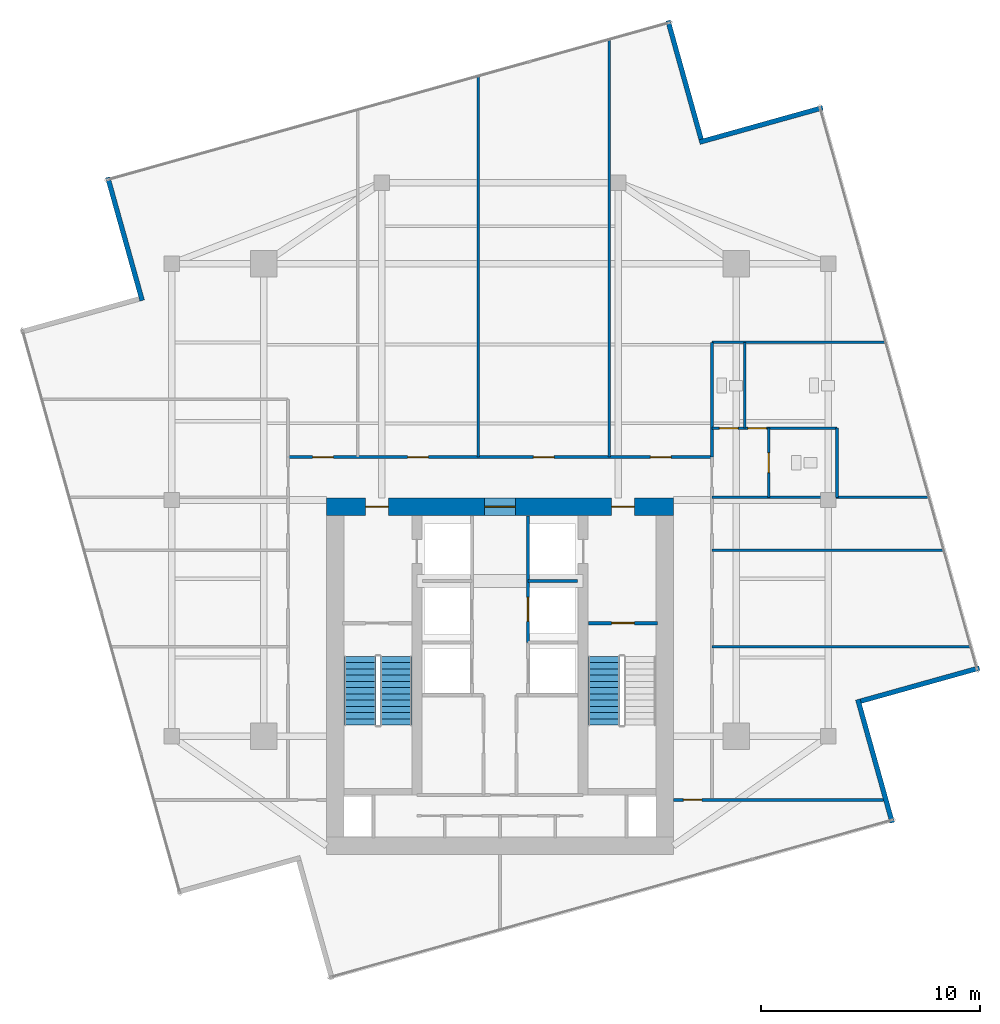
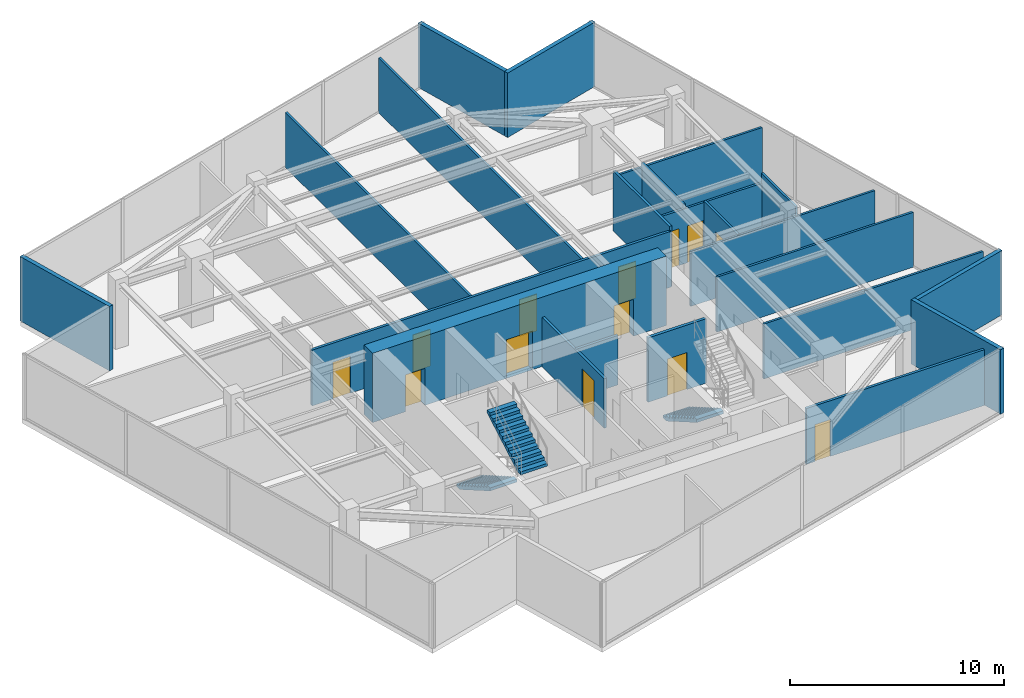
# One storey, part 18 of 21: 22 walls, 13 doors, 3 stair flights, 13 openings, 2 elements without a shape of their own.
"""IFC4 building model written with IfcOpenShell, lengths in metres."""

from ifc_helpers import new_model, si_unit, direction, frame, frame_2d, origin, place, context, subcontext, project, spatial, polyline, rectangle, outline, extrude, material, layer, layer_set, type_object, element, fill, aggregate, save


model = new_model("IFC4")

# Units and contexts
model_context = context("Model", 3, precision=1e-05, world=origin(), true_north=direction((0.0, 1.0)))
body_context = subcontext(model_context, "Body", "Model", "MODEL_VIEW")
ifc_project = project(units=[si_unit("LENGTHUNIT", "METRE"), si_unit("AREAUNIT", "SQUARE_METRE"), si_unit("VOLUMEUNIT", "CUBIC_METRE"), si_unit("PLANEANGLEUNIT", "RADIAN"), si_unit("MASSUNIT", "GRAM", prefix="KILO")], contexts=[model_context])

# Site, building, storey
site_placement = place(None, origin())
site = spatial("IfcSite", under=ifc_project, at=site_placement, CompositionType="ELEMENT")
building_placement = place(site_placement, origin())
building = spatial("IfcBuilding", under=site, at=building_placement, Name="Krantzveldt Concourse Tower", CompositionType="ELEMENT")
storey_placement = place(building_placement, frame((0.0, 0.0, 347.449951171875)))
storey = spatial("IfcBuildingStorey", under=building, at=storey_placement, Name="L85", CompositionType="ELEMENT", Elevation=347.449951171875)

# Walls
ifc_material_1 = material(Name="Anodised aluminium 6063-T6", Category="aluminium")
ifc_layer_1 = layer(ifc_material_1, 0.219970703125, Name="Anodised aluminium 6063-T6", Category="aluminium")
ifc_layer_set_1 = layer_set([ifc_layer_1], Name="Anodised aluminium 6063-T6 (WL-EXT-NOTCH220)")
wall_type_1 = type_object("IfcWallType", Name="WL-EXT-NOTCH220", PredefinedType="ELEMENTEDWALL", material=ifc_layer_set_1)
wall_1_placement = place(storey_placement, frame((45.189697265625, 43.184326171875, 0.0), z_axis=(0.0, 0.0, 1.0), x_axis=(-0.269351408795, 0.963041960965, 0.0)))
element("IfcWall", 1, at=wall_1_placement, inside=storey, type_object=wall_type_1, Name="EW-L85-NCH00", PredefinedType="ELEMENTEDWALL", context=body_context, shape_type="SweptSolid", body=[
    extrude(rectangle(XDim=5.625244140625, YDim=0.219970703125, at=frame_2d((2.8125, 0.0))), origin(), (0.0, 0.0, 1.0), 3.670166015625),
])
wall_2_placement = place(storey_placement, frame((18.076904296875, 41.4423828125, 0.0), z_axis=(0.0, 0.0, 1.0), x_axis=(0.269332441418, -0.963047265714, 0.0)))
element("IfcWall", 2, at=wall_2_placement, inside=storey, type_object=wall_type_1, Name="EW-L85-NCH02", PredefinedType="ELEMENTEDWALL", context=body_context, shape_type="SweptSolid", body=[
    extrude(rectangle(XDim=5.844970703125, YDim=0.219970703125, at=frame_2d((2.92236328125, 0.0))), origin(), (0.0, 0.0, 1.0), 3.670166015625),
])
wall_3_placement = place(storey_placement, frame((53.923095703125, 11.95751953125, 0.0), z_axis=(0.0, 0.0, 1.0), x_axis=(-0.26932160756, 0.96305029552, 0.0)))
element("IfcWall", 3, at=wall_3_placement, inside=storey, type_object=wall_type_1, Name="EW-L85-NCH08", PredefinedType="ELEMENTEDWALL", context=body_context, shape_type="SweptSolid", body=[
    extrude(rectangle(XDim=5.84521484375, YDim=0.219970703125, at=frame_2d((2.922607421875, 0.0))), origin(), (0.0, 0.0, 1.0), 3.670166015625),
])
wall_4_placement = place(storey_placement, frame((52.484375, 17.51025390625, 0.0), z_axis=(0.0, 0.0, 1.0), x_axis=(0.963038811961, 0.269362667524, 0.0)))
element("IfcWall", 4, at=wall_4_placement, inside=storey, type_object=wall_type_1, Name="EW-L85-NCH09", PredefinedType="ELEMENTEDWALL", context=body_context, shape_type="SweptSolid", body=[
    extrude(rectangle(XDim=5.625, YDim=0.219970703125, at=frame_2d((2.8125, 0.0))), origin(), (0.0, 0.0, 1.0), 3.670166015625),
])
wall_5_placement = place(storey_placement, frame((50.742431640625, 44.623046875, 0.0), z_axis=(0.0, 0.0, 1.0), x_axis=(-0.963047265714, -0.269332441418, 0.0)))
element("IfcWall", 5, at=wall_5_placement, inside=storey, type_object=wall_type_1, Name="EW-L85-NCH11", PredefinedType="ELEMENTEDWALL", context=body_context, shape_type="SweptSolid", body=[
    extrude(rectangle(XDim=5.844970703125, YDim=0.219970703125, at=frame_2d((2.92236328125, 0.0))), origin(), (0.0, 0.0, 1.0), 3.670166015625),
])
ifc_material_2 = material(Name="Fire-rated gypsum plasterboard on steel stud", Category="steel")
ifc_layer_2 = layer(ifc_material_2, 0.1201171875, Name="Fire-rated gypsum plasterboard on steel stud", Category="steel")
ifc_layer_set_2 = layer_set([ifc_layer_2], Name="Fire-rated gypsum plasterboard on steel stud (WL-PART-120)")
wall_type_2 = type_object("IfcWallType", Name="WL-PART-120", PredefinedType="PARTITIONING", material=ifc_layer_set_2)
wall_6_placement = place(storey_placement, frame((45.679931640625, 26.820068359375, 0.0), z_axis=(0.0, 0.0, 1.0), x_axis=(1.0, 0.0, 0.0)))
element("IfcWall", 6, at=wall_6_placement, inside=storey, type_object=wall_type_2, Name="WP-L85-WCBS", PredefinedType="PARTITIONING", context=body_context, shape_type="SweptSolid", body=[
    extrude(rectangle(XDim=9.922119140625, YDim=0.1201171875, at=frame_2d((4.9609375, 0.0))), origin(), (0.0, 0.0, 1.0), 3.130126953125),
])
wall_7_placement = place(storey_placement, frame((45.679931640625, 33.89990234375, 0.0), z_axis=(0.0, 0.0, 1.0), x_axis=(1.0, 0.0, 0.0)))
element("IfcWall", 7, at=wall_7_placement, inside=storey, type_object=wall_type_2, Name="WP-L85-WCBN", PredefinedType="PARTITIONING", context=body_context, shape_type="SweptSolid", body=[
    extrude(rectangle(XDim=7.942138671875, YDim=0.1201171875, at=frame_2d((3.97119140625, 0.0))), origin(), (0.0, 0.0, 1.0), 3.130126953125),
])

# Wall, openings, doors
wall_8_placement = place(storey_placement, frame((45.679931640625, 29.97998046875, 0.0), z_axis=(0.0, 0.0, 1.0), x_axis=(1.0, 0.0, 0.0)))
wall_8 = element("IfcWall", 8, at=wall_8_placement, inside=storey, type_object=wall_type_2, Name="WP-L85-WCMH", PredefinedType="PARTITIONING", context=body_context, shape_type="SweptSolid", body=[
    extrude(rectangle(XDim=5.719970703125, YDim=0.1201171875, at=frame_2d((2.85986328125, 0.0))), origin(), (0.0, 0.0, 1.0), 3.130126953125),
])
opening_1_placement = place(wall_8_placement, frame((1.64501953125, 0.0, 0.0)))
opening_1 = element("IfcOpeningElement", 9, at=opening_1_placement, cuts=wall_8, Name="Opening D-IN085", PredefinedType="OPENING", context=body_context, shape_type="SweptSolid", body=[
    extrude(rectangle(XDim=0.85009765625, YDim=2.10009765625, at=frame_2d((0.425048828125, 1.050048828125))), frame((0.0, 0.070068359375, 0.0), z_axis=(0.0, -1.0, 0.0), x_axis=(1.0, 0.0, 0.0)), (0.0, 0.0, 1.0), 0.14013671875),
])
opening_2_placement = place(wall_8_placement, frame((0.344970703125, 0.0, 0.0)))
opening_2 = element("IfcOpeningElement", 10, at=opening_2_placement, cuts=wall_8, Name="Opening D-IN085", PredefinedType="OPENING", context=body_context, shape_type="SweptSolid", body=[
    extrude(rectangle(XDim=0.85009765625, YDim=2.10009765625, at=frame_2d((0.425048828125, 1.050048828125))), frame((0.0, 0.070068359375, 0.0), z_axis=(0.0, -1.0, 0.0), x_axis=(1.0, 0.0, 0.0)), (0.0, 0.0, 1.0), 0.14013671875),
])
ifc_material_3 = material(Name="Hardwood timber", Category="wood")
door_type_1 = type_object("IfcDoorType", Name="DR-INT-850", OperationType="SINGLE_SWING_LEFT", PredefinedType="DOOR", material=ifc_material_3)
door_1_placement = place(opening_1_placement, origin())
door_1 = element("IfcDoor", 11, at=door_1_placement, inside=storey, type_object=door_type_1, Name="DR-L85-WCM", OperationType="SINGLE_SWING_RIGHT", OverallHeight=2.10009765625, OverallWidth=0.85009765625, PredefinedType="DOOR", context=body_context, shape_type="SweptSolid", body=[
    extrude(rectangle(XDim=0.85009765625, YDim=2.10009765625, at=frame_2d((0.425048828125, 1.050048828125))), frame((0.0, 0.02490234375, 0.0), z_axis=(0.0, -1.0, 0.0), x_axis=(1.0, 0.0, 0.0)), (0.0, 0.0, 1.0), 0.050048828125),
])
fill(opening_1, door_1)
door_2_placement = place(opening_2_placement, origin())
door_2 = element("IfcDoor", 12, at=door_2_placement, inside=storey, type_object=door_type_1, Name="DR-L85-WCF", OperationType="SINGLE_SWING_LEFT", OverallHeight=2.10009765625, OverallWidth=0.85009765625, PredefinedType="DOOR", context=body_context, shape_type="SweptSolid", body=[
    extrude(rectangle(XDim=0.85009765625, YDim=2.10009765625, at=frame_2d((0.425048828125, 1.050048828125))), frame((0.0, 0.02490234375, 0.0), z_axis=(0.0, -1.0, 0.0), x_axis=(1.0, 0.0, 0.0)), (0.0, 0.0, 1.0), 0.050048828125),
])
fill(opening_2, door_2)

# Wall
wall_9_placement = place(storey_placement, frame((51.39990234375, 26.820068359375, 0.0), z_axis=(0.0, 0.0, 1.0), x_axis=(0.0, 1.0, 0.0)))
element("IfcWall", 13, at=wall_9_placement, inside=storey, type_object=wall_type_2, Name="WP-L85-WCAR", PredefinedType="PARTITIONING", context=body_context, shape_type="SweptSolid", body=[
    extrude(rectangle(XDim=3.159912109375, YDim=0.1201171875, at=frame_2d((1.580078125, 0.0))), origin(), (0.0, 0.0, 1.0), 3.670166015625),
])

# Wall, opening, door
wall_10_placement = place(storey_placement, frame((48.280029296875, 26.820068359375, 0.0), z_axis=(0.0, 0.0, 1.0), x_axis=(0.0, 1.0, 0.0)))
wall_10 = element("IfcWall", 14, at=wall_10_placement, inside=storey, type_object=wall_type_2, Name="WP-L85-WCAV", PredefinedType="PARTITIONING", context=body_context, shape_type="SweptSolid", body=[
    extrude(rectangle(XDim=3.159912109375, YDim=0.1201171875, at=frame_2d((1.580078125, 0.0))), origin(), (0.0, 0.0, 1.0), 3.179931640625),
])
opening_3_placement = place(wall_10_placement, frame((1.1298828125, 0.0, 0.0)))
opening_3 = element("IfcOpeningElement", 15, at=opening_3_placement, cuts=wall_10, Name="Opening D-IN090", PredefinedType="OPENING", context=body_context, shape_type="SweptSolid", body=[
    extrude(rectangle(XDim=0.89990234375, YDim=2.10009765625, at=frame_2d((0.449951171875, 1.050048828125))), frame((0.0, 0.070068359375, 0.0), z_axis=(0.0, -1.0, 0.0), x_axis=(1.0, 0.0, 0.0)), (0.0, 0.0, 1.0), 0.14013671875),
])
door_type_2 = type_object("IfcDoorType", Name="DR-INT-900", OperationType="SINGLE_SWING_LEFT", PredefinedType="DOOR", material=ifc_material_3)
door_3_placement = place(opening_3_placement, origin())
door_3 = element("IfcDoor", 16, at=door_3_placement, inside=storey, type_object=door_type_2, Name="DR-L85-WCA", OperationType="SINGLE_SWING_RIGHT", OverallHeight=2.10009765625, OverallWidth=0.89990234375, PredefinedType="DOOR", context=body_context, shape_type="SweptSolid", body=[
    extrude(rectangle(XDim=0.89990234375, YDim=2.10009765625, at=frame_2d((0.449951171875, 1.050048828125))), frame((0.0, 0.02490234375, 0.0), z_axis=(0.0, -1.0, 0.0), x_axis=(1.0, 0.0, 0.0)), (0.0, 0.0, 1.0), 0.050048828125),
])
fill(opening_3, door_3)

# Walls
wall_11_placement = place(storey_placement, frame((47.179931640625, 29.97998046875, 0.0), z_axis=(0.0, 0.0, 1.0), x_axis=(0.0, 1.0, 0.0)))
element("IfcWall", 17, at=wall_11_placement, inside=storey, type_object=wall_type_2, Name="WP-L85-WCFD", PredefinedType="PARTITIONING", context=body_context, shape_type="SweptSolid", body=[
    extrude(rectangle(XDim=3.919921875, YDim=0.1201171875, at=frame_2d((1.9599609375, 0.0))), origin(), (0.0, 0.0, 1.0), 3.3701171875),
])
wall_12_placement = place(storey_placement, frame((35.0, 28.659912109375, 0.0), z_axis=(0.0, 0.0, 1.0), x_axis=(0.0, 1.0, 0.0)))
element("IfcWall", 18, at=wall_12_placement, inside=storey, type_object=wall_type_2, Name="WP-L85-ND2", PredefinedType="PARTITIONING", context=body_context, shape_type="SweptSolid", body=[
    extrude(rectangle(XDim=17.39599609375, YDim=0.1201171875, at=frame_2d((8.697998046875, 0.0))), origin(), (0.0, 0.0, 1.0), 3.130126953125),
])
wall_13_placement = place(storey_placement, frame((41.0, 28.659912109375, 0.0), z_axis=(0.0, 0.0, 1.0), x_axis=(0.0, 1.0, 0.0)))
element("IfcWall", 19, at=wall_13_placement, inside=storey, type_object=wall_type_2, Name="WP-L85-ND3", PredefinedType="PARTITIONING", context=body_context, shape_type="SweptSolid", body=[
    extrude(rectangle(XDim=19.073974609375, YDim=0.1201171875, at=frame_2d((9.537109375, 0.0))), origin(), (0.0, 0.0, 1.0), 3.130126953125),
])
wall_14_placement = place(storey_placement, frame((45.679931640625, 20.0, 0.0), z_axis=(0.0, 0.0, 1.0), x_axis=(1.0, 0.0, 0.0)))
element("IfcWall", 20, at=wall_14_placement, inside=storey, type_object=wall_type_2, Name="WP-L85-ED1", PredefinedType="PARTITIONING", context=body_context, shape_type="SweptSolid", body=[
    extrude(rectangle(XDim=11.82958984375, YDim=0.1201171875, at=frame_2d((5.914794921875, 0.0))), origin(), (0.0, 0.0, 1.0), 3.130126953125),
])
wall_15_placement = place(storey_placement, frame((45.679931640625, 24.39990234375, 0.0), z_axis=(0.0, 0.0, 1.0), x_axis=(1.0, 0.0, 0.0)))
element("IfcWall", 21, at=wall_15_placement, inside=storey, type_object=wall_type_2, Name="WP-L85-ED2", PredefinedType="PARTITIONING", context=body_context, shape_type="SweptSolid", body=[
    extrude(rectangle(XDim=10.598876953125, YDim=0.1201171875, at=frame_2d((5.29931640625, 0.0))), origin(), (0.0, 0.0, 1.0), 3.130126953125),
])

# Wall, openings, doors
ifc_layer_3 = layer(ifc_material_2, 0.139892578125, Name="Fire-rated gypsum plasterboard on steel stud", Category="steel")
ifc_layer_set_3 = layer_set([ifc_layer_3], Name="Fire-rated gypsum plasterboard on steel stud (WL-PART-140)")
wall_type_3 = type_object("IfcWallType", Name="WL-PART-140", PredefinedType="PARTITIONING", material=ifc_layer_set_3)
wall_16_placement = place(storey_placement, frame((26.320068359375, 28.659912109375, 0.0), z_axis=(0.0, 0.0, 1.0), x_axis=(1.0, 0.0, 0.0)))
wall_16 = element("IfcWall", 22, at=wall_16_placement, inside=storey, type_object=wall_type_3, Name="WP-L85-CNHDR", PredefinedType="PARTITIONING", context=body_context, shape_type="SweptSolid", body=[
    extrude(rectangle(XDim=19.35986328125, YDim=0.139892578125, at=frame_2d((9.679931640625, 0.0))), origin(), (0.0, 0.0, 1.0), 3.179931640625),
])
opening_4_placement = place(wall_16_placement, frame((1.114990234375, 0.0, 0.0)))
opening_4 = element("IfcOpeningElement", 23, at=opening_4_placement, cuts=wall_16, Name="Opening D-IN095", PredefinedType="OPENING", context=body_context, shape_type="SweptSolid", body=[
    extrude(rectangle(XDim=0.949951171875, YDim=2.10009765625, at=frame_2d((0.47509765625, 1.050048828125))), frame((0.0, 0.080078125, 0.0), z_axis=(0.0, -1.0, 0.0), x_axis=(1.0, 0.0, 0.0)), (0.0, 0.0, 1.0), 0.159912109375),
])
opening_5_placement = place(wall_16_placement, frame((5.455078125, 0.0, 0.0)))
opening_5 = element("IfcOpeningElement", 24, at=opening_5_placement, cuts=wall_16, Name="Opening D-IN095", PredefinedType="OPENING", context=body_context, shape_type="SweptSolid", body=[
    extrude(rectangle(XDim=0.949951171875, YDim=2.10009765625, at=frame_2d((0.47509765625, 1.050048828125))), frame((0.0, 0.080078125, 0.0), z_axis=(0.0, -1.0, 0.0), x_axis=(1.0, 0.0, 0.0)), (0.0, 0.0, 1.0), 0.159912109375),
])
opening_6_placement = place(wall_16_placement, frame((11.205078125, 0.0, 0.0)))
opening_6 = element("IfcOpeningElement", 25, at=opening_6_placement, cuts=wall_16, Name="Opening D-IN095", PredefinedType="OPENING", context=body_context, shape_type="SweptSolid", body=[
    extrude(rectangle(XDim=0.949951171875, YDim=2.10009765625, at=frame_2d((0.47509765625, 1.050048828125))), frame((0.0, 0.080078125, 0.0), z_axis=(0.0, -1.0, 0.0), x_axis=(1.0, 0.0, 0.0)), (0.0, 0.0, 1.0), 0.159912109375),
])
opening_7_placement = place(wall_16_placement, frame((16.544921875, 0.0, 0.0)))
opening_7 = element("IfcOpeningElement", 26, at=opening_7_placement, cuts=wall_16, Name="Opening D-IN095", PredefinedType="OPENING", context=body_context, shape_type="SweptSolid", body=[
    extrude(rectangle(XDim=0.949951171875, YDim=2.10009765625, at=frame_2d((0.47509765625, 1.050048828125))), frame((0.0, 0.080078125, 0.0), z_axis=(0.0, -1.0, 0.0), x_axis=(1.0, 0.0, 0.0)), (0.0, 0.0, 1.0), 0.159912109375),
])
door_type_3 = type_object("IfcDoorType", Name="DR-INT-950", OperationType="SINGLE_SWING_LEFT", PredefinedType="DOOR", material=ifc_material_3)
door_4_placement = place(opening_4_placement, origin())
door_4 = element("IfcDoor", 27, at=door_4_placement, inside=storey, type_object=door_type_3, Name="DR-L85-NR1", OperationType="SINGLE_SWING_LEFT", OverallHeight=2.10009765625, OverallWidth=0.949951171875, PredefinedType="DOOR", context=body_context, shape_type="SweptSolid", body=[
    extrude(rectangle(XDim=0.949951171875, YDim=2.10009765625, at=frame_2d((0.47509765625, 1.050048828125))), frame((0.0, 0.02490234375, 0.0), z_axis=(0.0, -1.0, 0.0), x_axis=(1.0, 0.0, 0.0)), (0.0, 0.0, 1.0), 0.050048828125),
])
fill(opening_4, door_4)
door_5_placement = place(opening_5_placement, origin())
door_5 = element("IfcDoor", 28, at=door_5_placement, inside=storey, type_object=door_type_3, Name="DR-L85-NR2", OperationType="SINGLE_SWING_LEFT", OverallHeight=2.10009765625, OverallWidth=0.949951171875, PredefinedType="DOOR", context=body_context, shape_type="SweptSolid", body=[
    extrude(rectangle(XDim=0.949951171875, YDim=2.10009765625, at=frame_2d((0.47509765625, 1.050048828125))), frame((0.0, 0.02490234375, 0.0), z_axis=(0.0, -1.0, 0.0), x_axis=(1.0, 0.0, 0.0)), (0.0, 0.0, 1.0), 0.050048828125),
])
fill(opening_5, door_5)
door_6_placement = place(opening_6_placement, origin())
door_6 = element("IfcDoor", 29, at=door_6_placement, inside=storey, type_object=door_type_3, Name="DR-L85-NR3", OperationType="SINGLE_SWING_LEFT", OverallHeight=2.10009765625, OverallWidth=0.949951171875, PredefinedType="DOOR", context=body_context, shape_type="SweptSolid", body=[
    extrude(rectangle(XDim=0.949951171875, YDim=2.10009765625, at=frame_2d((0.47509765625, 1.050048828125))), frame((0.0, 0.02490234375, 0.0), z_axis=(0.0, -1.0, 0.0), x_axis=(1.0, 0.0, 0.0)), (0.0, 0.0, 1.0), 0.050048828125),
])
fill(opening_6, door_6)
door_7_placement = place(opening_7_placement, origin())
door_7 = element("IfcDoor", 30, at=door_7_placement, inside=storey, type_object=door_type_3, Name="DR-L85-NR4", OperationType="SINGLE_SWING_LEFT", OverallHeight=2.10009765625, OverallWidth=0.949951171875, PredefinedType="DOOR", context=body_context, shape_type="SweptSolid", body=[
    extrude(rectangle(XDim=0.949951171875, YDim=2.10009765625, at=frame_2d((0.47509765625, 1.050048828125))), frame((0.0, 0.02490234375, 0.0), z_axis=(0.0, -1.0, 0.0), x_axis=(1.0, 0.0, 0.0)), (0.0, 0.0, 1.0), 0.050048828125),
])
fill(opening_7, door_7)

# Wall, opening, door
wall_17_placement = place(storey_placement, frame((43.919921875, 13.0, 0.0), z_axis=(0.0, 0.0, 1.0), x_axis=(1.0, 0.0, 0.0)))
wall_17 = element("IfcWall", 31, at=wall_17_placement, inside=storey, type_object=wall_type_3, Name="WP-L85-CSBOTE", PredefinedType="PARTITIONING", context=body_context, shape_type="SweptSolid", body=[
    extrude(rectangle(XDim=9.59228515625, YDim=0.139892578125, at=frame_2d((4.796142578125, 0.0))), origin(), (0.0, 0.0, 1.0), 3.179931640625),
])
opening_8_placement = place(wall_17_placement, frame((0.455078125, 0.0, 0.0)))
opening_8 = element("IfcOpeningElement", 32, at=opening_8_placement, cuts=wall_17, Name="Opening D-IN085", PredefinedType="OPENING", context=body_context, shape_type="SweptSolid", body=[
    extrude(rectangle(XDim=0.85009765625, YDim=2.10009765625, at=frame_2d((0.425048828125, 1.050048828125))), frame((0.0, 0.080078125, 0.0), z_axis=(0.0, -1.0, 0.0), x_axis=(1.0, 0.0, 0.0)), (0.0, 0.0, 1.0), 0.159912109375),
])
door_8_placement = place(opening_8_placement, origin())
door_8 = element("IfcDoor", 33, at=door_8_placement, inside=storey, type_object=door_type_1, Name="DR-L85-SR2", OperationType="SINGLE_SWING_LEFT", OverallHeight=2.10009765625, OverallWidth=0.85009765625, PredefinedType="DOOR", context=body_context, shape_type="SweptSolid", body=[
    extrude(rectangle(XDim=0.85009765625, YDim=2.10009765625, at=frame_2d((0.425048828125, 1.050048828125))), frame((0.0, 0.02490234375, 0.0), z_axis=(0.0, -1.0, 0.0), x_axis=(1.0, 0.0, 0.0)), (0.0, 0.0, 1.0), 0.050048828125),
])
fill(opening_8, door_8)

# Wall
wall_18_placement = place(storey_placement, frame((45.679931640625, 28.659912109375, 0.0), z_axis=(0.0, 0.0, 1.0), x_axis=(0.0, 1.0, 0.0)))
element("IfcWall", 34, at=wall_18_placement, inside=storey, type_object=wall_type_3, Name="WP-L85-NER", PredefinedType="PARTITIONING", context=body_context, shape_type="SweptSolid", body=[
    extrude(rectangle(XDim=5.239990234375, YDim=0.139892578125, at=frame_2d((2.6201171875, 0.0))), origin(), (0.0, 0.0, 1.0), 3.429931640625),
])

# Wall, opening, door
ifc_layer_4 = layer(ifc_material_2, 0.139892578125, Name="Fire-rated gypsum plasterboard on steel stud", Category="steel")
ifc_layer_set_4 = layer_set([ifc_layer_4], Name="Fire-rated gypsum plasterboard on steel stud (WL-PART-FR140)")
wall_type_4 = type_object("IfcWallType", Name="WL-PART-FR140", PredefinedType="PARTITIONING", material=ifc_layer_set_4)
wall_19_placement = place(storey_placement, frame((37.280029296875, 20.199951171875, 0.0), z_axis=(0.0, 0.0, 1.0), x_axis=(0.0, 1.0, 0.0)))
wall_19 = element("IfcWall", 35, at=wall_19_placement, inside=storey, type_object=wall_type_4, Name="WP-L85-SHNE", PredefinedType="PARTITIONING", context=body_context, shape_type="SweptSolid", body=[
    extrude(rectangle(XDim=5.780029296875, YDim=0.139892578125, at=frame_2d((2.89013671875, 0.0))), origin(), (0.0, 0.0, 1.0), 2.820068359375),
])
opening_9_placement = place(wall_19_placement, frame((0.949951171875, 0.0, 0.0)))
opening_9 = element("IfcOpeningElement", 36, at=opening_9_placement, cuts=wall_19, Name="Opening LD", PredefinedType="OPENING", context=body_context, shape_type="SweptSolid", body=[
    extrude(rectangle(XDim=1.10009765625, YDim=2.14990234375, at=frame_2d((0.550048828125, 1.074951171875))), frame((0.0, 0.080078125, 0.0), z_axis=(0.0, -1.0, 0.0), x_axis=(1.0, 0.0, 0.0)), (0.0, 0.0, 1.0), 0.159912109375),
])
ifc_material_4 = material(Name="Stainless steel 316L", Category="steel")
door_type_4 = type_object("IfcDoorType", Name="DR-SLIDE-LD1100", OperationType="DOUBLE_DOOR_SLIDING", PredefinedType="DOOR", material=ifc_material_4)
door_9_placement = place(opening_9_placement, origin())
door_9 = element("IfcDoor", 37, at=door_9_placement, inside=storey, type_object=door_type_4, Name="LD-L85-GL1", OperationType="DOUBLE_DOOR_SLIDING", OverallHeight=2.14990234375, OverallWidth=1.10009765625, PredefinedType="DOOR", context=body_context, shape_type="SweptSolid", body=[
    extrude(rectangle(XDim=1.10009765625, YDim=2.14990234375, at=frame_2d((0.550048828125, 1.074951171875))), frame((0.0, 0.02490234375, 0.0), z_axis=(0.0, -1.0, 0.0), x_axis=(1.0, 0.0, 0.0)), (0.0, 0.0, 1.0), 0.050048828125),
])
fill(opening_9, door_9)

# Wall
wall_20_placement = place(storey_placement, frame((37.280029296875, 23.0, 0.0), z_axis=(0.0, 0.0, 1.0), x_axis=(1.0, 0.0, 0.0)))
element("IfcWall", 38, at=wall_20_placement, inside=storey, type_object=wall_type_4, Name="WP-L85-GLH", PredefinedType="PARTITIONING", context=body_context, shape_type="SweptSolid", body=[
    extrude(rectangle(XDim=2.27001953125, YDim=0.139892578125, at=frame_2d((1.135009765625, 0.0))), origin(), (0.0, 0.0, 1.0), 2.820068359375),
])

# Wall, opening, door
ifc_layer_5 = layer(ifc_material_2, 0.159912109375, Name="Fire-rated gypsum plasterboard on steel stud", Category="steel")
ifc_layer_set_5 = layer_set([ifc_layer_5], Name="Fire-rated gypsum plasterboard on steel stud (WL-PART-FR160)")
wall_type_5 = type_object("IfcWallType", Name="WL-PART-FR160", PredefinedType="PARTITIONING", material=ifc_layer_set_5)
wall_21_placement = place(storey_placement, frame((40.0400390625, 21.080078125, 0.0), z_axis=(0.0, 0.0, 1.0), x_axis=(1.0, 0.0, 0.0)))
wall_21 = element("IfcWall", 39, at=wall_21_placement, inside=storey, type_object=wall_type_5, Name="WP-L85-ST2", PredefinedType="PARTITIONING", context=body_context, shape_type="SweptSolid", body=[
    extrude(rectangle(XDim=3.159912109375, YDim=0.159912109375, at=frame_2d((1.580078125, 0.0))), origin(), (0.0, 0.0, 1.0), 3.670166015625),
])
opening_10_placement = place(wall_21_placement, frame((1.054931640625, 0.0, 0.0)))
opening_10 = element("IfcOpeningElement", 40, at=opening_10_placement, cuts=wall_21, Name="Opening D-FD105", PredefinedType="OPENING", context=body_context, shape_type="SweptSolid", body=[
    extrude(rectangle(XDim=1.050048828125, YDim=2.10009765625, at=frame_2d((0.52490234375, 1.050048828125))), frame((0.0, 0.08984375, 0.0), z_axis=(0.0, -1.0, 0.0), x_axis=(1.0, 0.0, 0.0)), (0.0, 0.0, 1.0), 0.179931640625),
])
ifc_material_5 = material(Name="Galvanised steel", Category="steel")
door_type_5 = type_object("IfcDoorType", Name="DR-FD120-1050", OperationType="SINGLE_SWING_LEFT", PredefinedType="DOOR", material=ifc_material_5)
door_10_placement = place(opening_10_placement, origin())
door_10 = element("IfcDoor", 41, at=door_10_placement, inside=storey, type_object=door_type_5, Name="DR-L85-ST2", OperationType="SINGLE_SWING_LEFT", OverallHeight=2.10009765625, OverallWidth=1.050048828125, PredefinedType="DOOR", context=body_context, shape_type="SweptSolid", body=[
    extrude(rectangle(XDim=1.050048828125, YDim=2.10009765625, at=frame_2d((0.52490234375, 1.050048828125))), frame((0.0, 0.02490234375, 0.0), z_axis=(0.0, -1.0, 0.0), x_axis=(1.0, 0.0, 0.0)), (0.0, 0.0, 1.0), 0.050048828125),
])
fill(opening_10, door_10)

# Wall, openings, doors
ifc_material_6 = material(Name="Concrete C60/75", Category="concrete")
ifc_layer_6 = layer(ifc_material_6, 0.800048828125, Name="Concrete C60/75", Category="concrete")
ifc_layer_set_6 = layer_set([ifc_layer_6], Name="Concrete C60/75 (WL-SHEAR-800)")
wall_type_6 = type_object("IfcWallType", Name="WL-SHEAR-800", PredefinedType="SHEAR", material=ifc_layer_set_6)
wall_22_placement = place(storey_placement, frame((28.080078125, 26.39990234375, 0.0), z_axis=(0.0, 0.0, 1.0), x_axis=(1.0, 0.0, 0.0)))
wall_22 = element("IfcWall", 42, at=wall_22_placement, inside=storey, type_object=wall_type_6, Name="CW-L85-N", PredefinedType="SHEAR", context=body_context, shape_type="SweptSolid", body=[
    extrude(rectangle(XDim=15.83984375, YDim=0.800048828125, at=frame_2d((7.919921875, 0.0))), origin(), (0.0, 0.0, 1.0), 3.949951171875),
])
opening_11_placement = place(wall_22_placement, frame((7.219970703125, 0.0, 0.0)))
opening_11 = element("IfcOpeningElement", 43, at=opening_11_placement, cuts=wall_22, Name="Opening D-DB140", PredefinedType="OPENING", context=body_context, shape_type="SweptSolid", body=[
    extrude(rectangle(XDim=1.39990234375, YDim=2.199951171875, at=frame_2d((0.699951171875, 1.10009765625))), frame((0.0, 0.41015625, 0.0), z_axis=(0.0, -1.0, 0.0), x_axis=(1.0, 0.0, 0.0)), (0.0, 0.0, 1.0), 0.820068359375),
])
opening_12_placement = place(wall_22_placement, frame((1.77490234375, 0.0, 0.0)))
opening_12 = element("IfcOpeningElement", 44, at=opening_12_placement, cuts=wall_22, Name="Opening D-FD105", PredefinedType="OPENING", context=body_context, shape_type="SweptSolid", body=[
    extrude(rectangle(XDim=1.050048828125, YDim=2.10009765625, at=frame_2d((0.52490234375, 1.050048828125))), frame((0.0, 0.41015625, 0.0), z_axis=(0.0, -1.0, 0.0), x_axis=(1.0, 0.0, 0.0)), (0.0, 0.0, 1.0), 0.820068359375),
])
opening_13_placement = place(wall_22_placement, frame((13.014892578125, 0.0, 0.0)))
opening_13 = element("IfcOpeningElement", 45, at=opening_13_placement, cuts=wall_22, Name="Opening D-FD105", PredefinedType="OPENING", context=body_context, shape_type="SweptSolid", body=[
    extrude(rectangle(XDim=1.050048828125, YDim=2.10009765625, at=frame_2d((0.52490234375, 1.050048828125))), frame((0.0, 0.41015625, 0.0), z_axis=(0.0, -1.0, 0.0), x_axis=(1.0, 0.0, 0.0)), (0.0, 0.0, 1.0), 0.820068359375),
])
door_type_6 = type_object("IfcDoorType", Name="DR-DBL-1400", OperationType="DOUBLE_DOOR_SINGLE_SWING", PredefinedType="DOOR", material=ifc_material_1)
door_11_placement = place(opening_11_placement, origin())
door_11 = element("IfcDoor", 46, at=door_11_placement, inside=storey, type_object=door_type_6, Name="DR-L85-LLB", OperationType="DOUBLE_DOOR_SINGLE_SWING", OverallHeight=2.199951171875, OverallWidth=1.39990234375, PredefinedType="DOOR", context=body_context, shape_type="SweptSolid", body=[
    extrude(rectangle(XDim=1.39990234375, YDim=2.199951171875, at=frame_2d((0.699951171875, 1.10009765625))), frame((0.0, 0.02490234375, 0.0), z_axis=(0.0, -1.0, 0.0), x_axis=(1.0, 0.0, 0.0)), (0.0, 0.0, 1.0), 0.050048828125),
])
fill(opening_11, door_11)
door_12_placement = place(opening_12_placement, origin())
door_12 = element("IfcDoor", 47, at=door_12_placement, inside=storey, type_object=door_type_5, Name="DR-L85-FFL1", OperationType="SINGLE_SWING_LEFT", OverallHeight=2.10009765625, OverallWidth=1.050048828125, PredefinedType="DOOR", context=body_context, shape_type="SweptSolid", body=[
    extrude(rectangle(XDim=1.050048828125, YDim=2.10009765625, at=frame_2d((0.52490234375, 1.050048828125))), frame((0.0, 0.02490234375, 0.0), z_axis=(0.0, -1.0, 0.0), x_axis=(1.0, 0.0, 0.0)), (0.0, 0.0, 1.0), 0.050048828125),
])
fill(opening_12, door_12)
door_13_placement = place(opening_13_placement, origin())
door_13 = element("IfcDoor", 48, at=door_13_placement, inside=storey, type_object=door_type_5, Name="DR-L85-FFL2", OperationType="SINGLE_SWING_RIGHT", OverallHeight=2.10009765625, OverallWidth=1.050048828125, PredefinedType="DOOR", context=body_context, shape_type="SweptSolid", body=[
    extrude(rectangle(XDim=1.050048828125, YDim=2.10009765625, at=frame_2d((0.52490234375, 1.050048828125))), frame((0.0, 0.02490234375, 0.0), z_axis=(0.0, -1.0, 0.0), x_axis=(1.0, 0.0, 0.0)), (0.0, 0.0, 1.0), 0.050048828125),
])
fill(opening_13, door_13)

# Stair, stair flights
ifc_material_7 = material(Name="Precast concrete C40/50", Category="concrete")
stair_type = type_object("IfcStairType", Name="STR-CORE-DOGLEG", PredefinedType="HALF_TURN_STAIR", material=ifc_material_7)
stair_1_placement = place(storey_placement, origin())
stair_1 = element("IfcStair", 49, at=stair_1_placement, inside=storey, type_object=stair_type, Name="L85 Protected Escape Stair ST-1", PredefinedType="HALF_TURN_STAIR")
stair_flight_type = type_object("IfcStairFlightType", Name="STF-CORE-1450", PredefinedType="STRAIGHT", material=ifc_material_7)
stair_flight_1_placement = place(storey_placement, frame((29.60498046875, 19.550048828125, 0.0), z_axis=(0.0, 0.0, 1.0), x_axis=(0.0, -1.0, 0.0)))
stair_flight_1 = element("IfcStairFlight", 50, at=stair_flight_1_placement, type_object=stair_flight_type, Name="ST-1 flight 1", NumberOfRisers=12, NumberOfTreads=11, PredefinedType="STRAIGHT", RiserHeight=0.164583333, TreadLength=0.285, context=body_context, shape_type="SweptSolid", body=[
    extrude(outline(polyline([(0.0, 0.0), (0.0, 0.16455078125), (0.284912109375, 0.16455078125), (0.284912109375, 0.3291015625), (0.570068359375, 0.3291015625), (0.570068359375, 0.49365234375), (0.85498046875, 0.49365234375), (0.85498046875, 0.658447265625), (1.139892578125, 0.658447265625), (1.139892578125, 0.822998046875), (1.425048828125, 0.822998046875), (1.425048828125, 0.987548828125), (1.7099609375, 0.987548828125), (1.7099609375, 1.152099609375), (1.9951171875, 1.152099609375), (1.9951171875, 1.316650390625), (2.280029296875, 1.316650390625), (2.280029296875, 1.481201171875), (2.56494140625, 1.481201171875), (2.56494140625, 1.645751953125), (2.85009765625, 1.645751953125), (2.85009765625, 1.810302734375), (3.135009765625, 1.810302734375), (3.135009765625, 1.97509765625), (3.135009765625, 1.63720703125), (0.2998046875, 0.0), (0.0, 0.0)])), frame((0.0, 0.72509765625, 0.0), z_axis=(0.0, -1.0, 0.0), x_axis=(1.0, 0.0, 0.0)), (0.0, 0.0, 1.0), 1.449951171875),
])
stair_flight_2_placement = place(storey_placement, frame((31.2548828125, 16.4150390625, 1.97509765625), z_axis=(0.0, 0.0, 1.0), x_axis=(0.0, 1.0, 0.0)))
stair_flight_2 = element("IfcStairFlight", 51, at=stair_flight_2_placement, type_object=stair_flight_type, Name="ST-1 flight 2", NumberOfRisers=12, NumberOfTreads=11, PredefinedType="STRAIGHT", RiserHeight=0.164583333, TreadLength=0.285, context=body_context, shape_type="SweptSolid", body=[
    extrude(outline(polyline([(0.0, 0.0), (0.0, 0.16455078125), (0.284912109375, 0.16455078125), (0.284912109375, 0.3291015625), (0.570068359375, 0.3291015625), (0.570068359375, 0.49365234375), (0.85498046875, 0.49365234375), (0.85498046875, 0.658447265625), (1.139892578125, 0.658447265625), (1.139892578125, 0.822998046875), (1.425048828125, 0.822998046875), (1.425048828125, 0.987548828125), (1.7099609375, 0.987548828125), (1.7099609375, 1.152099609375), (1.9951171875, 1.152099609375), (1.9951171875, 1.316650390625), (2.280029296875, 1.316650390625), (2.280029296875, 1.481201171875), (2.56494140625, 1.481201171875), (2.56494140625, 1.645751953125), (2.85009765625, 1.645751953125), (2.85009765625, 1.810302734375), (3.135009765625, 1.810302734375), (3.135009765625, 1.97509765625), (3.135009765625, 1.63720703125), (0.2998046875, 0.0), (0.0, 0.0)])), frame((0.0, 0.72509765625, 0.0), z_axis=(0.0, -1.0, 0.0), x_axis=(1.0, 0.0, 0.0)), (0.0, 0.0, 1.0), 1.449951171875),
])
aggregate(stair_1, [stair_flight_1, stair_flight_2])

# Stair, stair flight
stair_2_placement = place(storey_placement, origin())
stair_2 = element("IfcStair", 52, at=stair_2_placement, inside=storey, type_object=stair_type, Name="L85 Protected Escape Stair ST-2", PredefinedType="HALF_TURN_STAIR")
stair_flight_3_placement = place(storey_placement, frame((40.7451171875, 19.550048828125, 0.0), z_axis=(0.0, 0.0, 1.0), x_axis=(0.0, -1.0, 0.0)))
stair_flight_3 = element("IfcStairFlight", 53, at=stair_flight_3_placement, type_object=stair_flight_type, Name="ST-2 flight 1", NumberOfRisers=12, NumberOfTreads=11, PredefinedType="STRAIGHT", RiserHeight=0.164583333, TreadLength=0.285, context=body_context, shape_type="SweptSolid", body=[
    extrude(outline(polyline([(0.0, 0.0), (0.0, 0.16455078125), (0.284912109375, 0.16455078125), (0.284912109375, 0.3291015625), (0.570068359375, 0.3291015625), (0.570068359375, 0.49365234375), (0.85498046875, 0.49365234375), (0.85498046875, 0.658447265625), (1.139892578125, 0.658447265625), (1.139892578125, 0.822998046875), (1.425048828125, 0.822998046875), (1.425048828125, 0.987548828125), (1.7099609375, 0.987548828125), (1.7099609375, 1.152099609375), (1.9951171875, 1.152099609375), (1.9951171875, 1.316650390625), (2.280029296875, 1.316650390625), (2.280029296875, 1.481201171875), (2.56494140625, 1.481201171875), (2.56494140625, 1.645751953125), (2.85009765625, 1.645751953125), (2.85009765625, 1.810302734375), (3.135009765625, 1.810302734375), (3.135009765625, 1.97509765625), (3.135009765625, 1.63720703125), (0.2998046875, 0.0), (0.0, 0.0)])), frame((0.0, 0.72509765625, 0.0), z_axis=(0.0, -1.0, 0.0), x_axis=(1.0, 0.0, 0.0)), (0.0, 0.0, 1.0), 1.449951171875),
])
aggregate(stair_2, [stair_flight_3])

save(model, "model.ifc")
